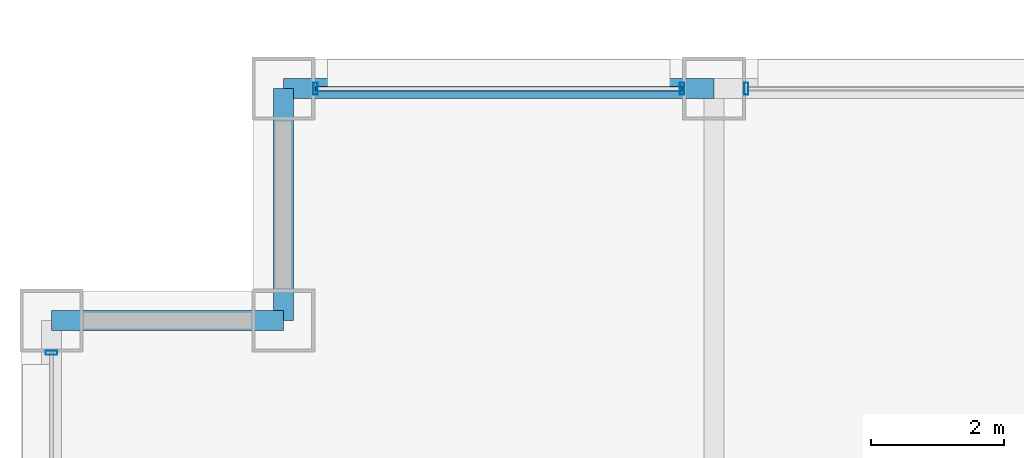
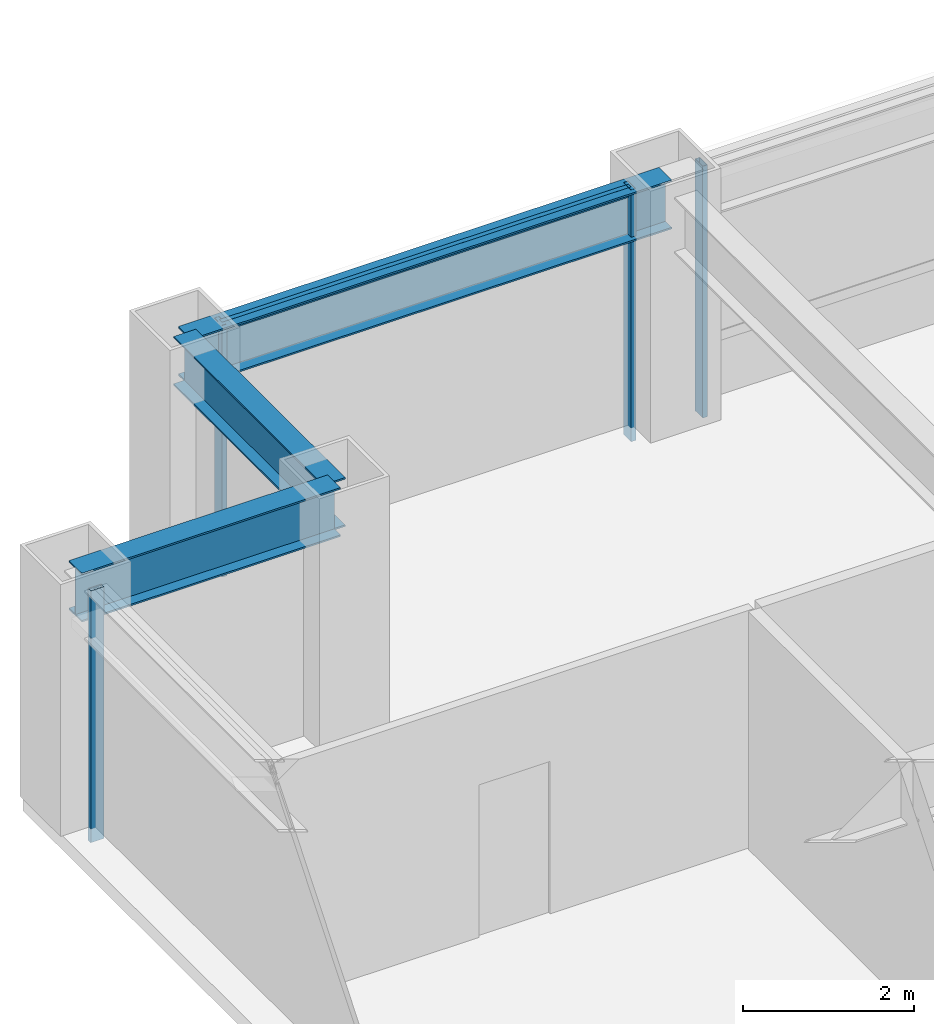
# One storey, part 17 of 31: 5 members, 3 beams, 3 elements without a shape of their own.
"""IFC4 building model written with IfcOpenShell, lengths in metres."""

import ifcopenshell
import ifcopenshell.guid

model = None  # the IFC model being written
_history = None  # IfcOwnerHistory: only IFC2X3 demands one
_inside = {}  # id of a spatial element -> (the spatial element, [elements in it])
_under = {}  # id of a project, library or spatial element -> (it, [spatial elements below it])
_declared = {}  # id of a project -> (the project, [libraries it declares])
_typed = {}  # id of a type object -> (the type object, [elements of that type])
_made_of = {}  # id of a material, layer set ... -> (it, [elements and type objects made of it])


def new_model(schema):
    """Start an empty IFC model of exactly this schema.

    Asked for "IFC4X3", IfcOpenShell would pick the latest addendum, in which some entities
    have other attributes; the version numbers below select the first issue.
    IFC2X3 requires an IfcOwnerHistory on every rooted entity: one is made here for all.
    """
    global model, _history
    if schema == "IFC4X3":
        model = ifcopenshell.file(schema_version=(4, 3, 0, 0))
    else:
        model = ifcopenshell.file(schema=schema)
    _inside.clear()
    _under.clear()
    _declared.clear()
    _typed.clear()
    _made_of.clear()
    _history = None
    if model.schema == "IFC2X3":
        org = make("IfcOrganization", Name="unknown")
        user = make(
            "IfcPersonAndOrganization",
            ThePerson=make("IfcPerson", FamilyName="unknown"),
            TheOrganization=org,
        )
        app = make(
            "IfcApplication",
            ApplicationDeveloper=org,
            Version="unknown",
            ApplicationFullName="unknown",
            ApplicationIdentifier="unknown",
        )
        _history = make(
            "IfcOwnerHistory",
            OwningUser=user,
            OwningApplication=app,
            ChangeAction="ADDED",
            CreationDate=0,
        )
    return model


def make(cls, **values):
    """One entity of the class cls with the attributes given. An attribute that is None is left unset."""
    return model.create_entity(
        cls, **{name: value for name, value in values.items() if value is not None}
    )


def rooted(cls, **values):
    """An entity with a GlobalId (a new one), such as an element, a storey or a relation."""
    return make(cls, GlobalId=ifcopenshell.guid.new(), OwnerHistory=_history, **values)


def si_unit(unit_type, name, prefix=None):
    """IfcSIUnit, for example si_unit("LENGTHUNIT", "METRE", prefix="MILLI")."""
    return make("IfcSIUnit", UnitType=unit_type, Prefix=prefix, Name=name)


def assignment(units):
    """IfcUnitAssignment: the units of a project."""
    return None if units is None else make("IfcUnitAssignment", Units=units)


def point(xyz):
    """IfcCartesianPoint."""
    return None if xyz is None else make("IfcCartesianPoint", Coordinates=xyz)


def direction(xyz):
    """IfcDirection."""
    return None if xyz is None else make("IfcDirection", DirectionRatios=xyz)


def frame(location, z_axis=None, x_axis=None):
    """IfcAxis2Placement3D, a coordinate frame: its origin and axes. An axis left out is left unset."""
    return make(
        "IfcAxis2Placement3D",
        Location=point(location),
        Axis=direction(z_axis),
        RefDirection=direction(x_axis),
    )


def frame_2d(location, x_axis=None):
    """IfcAxis2Placement2D, a coordinate frame in the plane: its origin and x axis."""
    return make(
        "IfcAxis2Placement2D", Location=point(location), RefDirection=direction(x_axis)
    )


def origin():
    """The frame at (0, 0, 0) with its axes left unset."""
    return frame((0.0, 0.0, 0.0))


def origin_2d():
    """The frame at (0, 0) in the plane with its x axis left unset."""
    return frame_2d((0.0, 0.0))


def place(relative_to, where):
    """IfcLocalPlacement: puts the frame where relative to a parent placement (None: the world)."""
    return make(
        "IfcLocalPlacement", PlacementRelTo=relative_to, RelativePlacement=where
    )


def context(
    kind, dimensions, precision=None, world=None, true_north=None, identifier=None
):
    """IfcGeometricRepresentationContext, for example the 3D "Model" context."""
    return make(
        "IfcGeometricRepresentationContext",
        ContextIdentifier=identifier,
        ContextType=kind,
        CoordinateSpaceDimension=dimensions,
        Precision=precision,
        WorldCoordinateSystem=world,
        TrueNorth=true_north,
    )


def subcontext(parent, identifier, kind, view, scale=None):
    """IfcGeometricRepresentationSubContext, for example "Body" below "Model"."""
    return make(
        "IfcGeometricRepresentationSubContext",
        ContextIdentifier=identifier,
        ContextType=kind,
        ParentContext=parent,
        TargetScale=scale,
        TargetView=view,
    )


def project(units=None, contexts=None):
    """IfcProject with its units and contexts."""
    return rooted(
        "IfcProject",
        Name="project",
        RepresentationContexts=contexts,
        UnitsInContext=assignment(units),
    )


def spatial(cls, under=None, at=None, **own):
    """A site, building, storey or space (cls), placed at a placement, below another one or the project."""
    s = rooted(cls, ObjectPlacement=at, **own)
    if under is not None:
        _under.setdefault(under.id(), (under, []))[1].append(s)
    return s


def profile(cls, at=None, kind="AREA", **sizes):
    """A parametric profile (cls). Its sizes go by their IFC names, for example OverallWidth=200.0."""
    return make(cls, ProfileType=kind, Position=at, **sizes)


def hollow_rectangle(**sizes):
    """IfcRectangleHollowProfileDef."""
    return profile("IfcRectangleHollowProfileDef", **sizes)


def i_section(**sizes):
    """IfcIShapeProfileDef."""
    return profile("IfcIShapeProfileDef", **sizes)


def extrude(swept, where, along, depth):
    """IfcExtrudedAreaSolid: the profile swept, set in the frame where, extruded along a direction by depth."""
    return make(
        "IfcExtrudedAreaSolid",
        SweptArea=swept,
        Position=where,
        ExtrudedDirection=direction(along),
        Depth=depth,
    )


def shape(context_of_items, identifier, shape_type, items):
    """IfcShapeRepresentation: the items that make up one representation, for example the "Body"."""
    return make(
        "IfcShapeRepresentation",
        ContextOfItems=context_of_items,
        RepresentationIdentifier=identifier,
        RepresentationType=shape_type,
        Items=items,
    )


def material(Name=None, Category=None):
    """IfcMaterial."""
    return make("IfcMaterial", Name=Name, Category=Category)


def layer(
    of_material, thickness, ventilated=None, Name=None, Category=None, Priority=None
):
    """IfcMaterialLayer: one layer of a wall or slab, of a material (None: an air gap)."""
    return make(
        "IfcMaterialLayer",
        Material=of_material,
        LayerThickness=thickness,
        IsVentilated=ventilated,
        Name=Name,
        Category=Category,
        Priority=Priority,
    )


def layer_set(layers, Name=None):
    """IfcMaterialLayerSet."""
    return make("IfcMaterialLayerSet", MaterialLayers=layers, LayerSetName=Name)


def material_profile(
    of_material, cross_section, Name=None, Category=None, Priority=None
):
    """IfcMaterialProfile: a cross section and its material."""
    return make(
        "IfcMaterialProfile",
        Name=Name,
        Material=of_material,
        Profile=cross_section,
        Priority=Priority,
        Category=Category,
    )


def profile_set(profiles, Name=None, composite=None):
    """IfcMaterialProfileSet."""
    return make(
        "IfcMaterialProfileSet",
        Name=Name,
        MaterialProfiles=profiles,
        CompositeProfile=composite,
    )


def made_of(thing, what):
    """Note that an element or type object is made of a material, layer set ...; save() writes the relation."""
    if what is not None:
        _made_of.setdefault(what.id(), (what, []))[1].append(thing)
    return thing


def type_object(cls, material=None, **own):
    """A type object (cls), such as IfcWallType, which elements share."""
    return made_of(rooted(cls, **own), material)


def element(
    cls,
    number,
    at=None,
    inside=None,
    cuts=None,
    type_object=None,
    material=None,
    context=None,
    identifier="Body",
    shape_type=None,
    held_by="IfcProductDefinitionShape",
    body=None,
    shapes=None,
    **own,
):
    """One element of the class cls, such as IfcWall. Its Tag is "e" and its number.

    at: its placement. inside: the storey or other place that contains it. cuts: it is an
    opening in that element (IfcRelVoidsElement). A single representation is given by context,
    identifier, shape_type and body (its items); several are given by shapes. held_by: the class
    of the entity that holds the representations. save() writes the other relations.
    """
    e = rooted(cls, Tag="e%d" % number, ObjectPlacement=at, **own)
    if body is not None:
        shapes = [shape(context, identifier, shape_type, body)]
    if shapes is not None:
        e.Representation = make(held_by, Representations=shapes)
    if inside is not None:
        _inside.setdefault(inside.id(), (inside, []))[1].append(e)
    if cuts is not None:
        rooted(
            "IfcRelVoidsElement", RelatingBuildingElement=cuts, RelatedOpeningElement=e
        )
    if type_object is not None:
        _typed.setdefault(type_object.id(), (type_object, []))[1].append(e)
    return made_of(e, material)


def aggregate(whole, parts):
    """IfcRelAggregates: a whole, such as a stair, and the parts it consists of."""
    return rooted("IfcRelAggregates", RelatingObject=whole, RelatedObjects=parts)


def save(model, path):
    """Write the relations noted so far, then the file.

    IfcRelAggregates (storeys below a building ...), IfcRelContainedInSpatialStructure (elements
    in a storey), IfcRelDefinesByType, IfcRelAssociatesMaterial and IfcRelDeclares: one each for
    every whole, place, type object, material and project.
    """
    for whole, parts in _under.values():
        aggregate(whole, parts)
    for where, things in _inside.values():
        rooted(
            "IfcRelContainedInSpatialStructure",
            RelatedElements=things,
            RelatingStructure=where,
        )
    for kind, things in _typed.values():
        rooted("IfcRelDefinesByType", RelatedObjects=things, RelatingType=kind)
    for what, things in _made_of.values():
        rooted("IfcRelAssociatesMaterial", RelatedObjects=things, RelatingMaterial=what)
    for by, libraries in _declared.values():
        rooted("IfcRelDeclares", RelatingContext=by, RelatedDefinitions=libraries)
    model.write(path)


model = new_model("IFC4")

# Units and contexts
model_context = context("Model", 3, precision=1e-05, world=origin(), true_north=direction((0.0, 1.0)))
body_context = subcontext(model_context, "Body", "Model", "MODEL_VIEW")
ifc_project = project(units=[si_unit("LENGTHUNIT", "METRE"), si_unit("AREAUNIT", "SQUARE_METRE"), si_unit("VOLUMEUNIT", "CUBIC_METRE"), si_unit("PLANEANGLEUNIT", "RADIAN"), si_unit("MASSUNIT", "GRAM", prefix="KILO")], contexts=[model_context])

# Site, building, storey
site_placement = place(None, origin())
site = spatial("IfcSite", under=ifc_project, at=site_placement, CompositionType="ELEMENT")
building_placement = place(site_placement, origin())
building = spatial("IfcBuilding", under=site, at=building_placement, Name="Brelmoor Portico Tower", CompositionType="ELEMENT")
storey_placement = place(building_placement, frame((0.0, 0.0, 38.39990234375)))
storey = spatial("IfcBuildingStorey", under=building, at=storey_placement, Name="L09", CompositionType="ELEMENT", Elevation=38.39990234375)

# Beams
ifc_material_1 = material(Name="Steel Q355B", Category="steel")
ifc_material_profile_1 = material_profile(ifc_material_1, i_section(OverallWidth=0.300048828125, OverallDepth=0.699951171875, WebThickness=0.012939453125, FlangeThickness=0.02392578125, at=origin_2d()), Name="HN 700x300x13x24")
ifc_profile_set_1 = profile_set([ifc_material_profile_1], Name="Steel Q355B")
beam_type = type_object("IfcBeamType", Name="BM-SP-700", PredefinedType="SPANDREL", material=ifc_profile_set_1)
beam_1_placement = place(storey_placement, frame((-24.550048828125, 18.050048828125, 3.050048828125), z_axis=(1.0, 0.0, 0.0), x_axis=(0.0, 1.0, 0.0)))
element("IfcBeam", 1, at=beam_1_placement, inside=storey, type_object=beam_type, Name="L09 Perimeter Spandrel Beam SP-08", PredefinedType="SPANDREL", context=body_context, shape_type="SweptSolid", body=[
    extrude(i_section(OverallWidth=0.300048828125, OverallDepth=0.699951171875, WebThickness=0.012939453125, FlangeThickness=0.02392578125, at=origin_2d()), origin(), (0.0, 0.0, 1.0), 3.5),
])
beam_2_placement = place(storey_placement, frame((-21.050048828125, 21.550048828125, 3.050048828125), z_axis=(1.0, 0.0, 0.0), x_axis=(0.0, 1.0, 0.0)))
element("IfcBeam", 2, at=beam_2_placement, inside=storey, type_object=beam_type, Name="L09 Perimeter Spandrel Beam SP-10", PredefinedType="SPANDREL", context=body_context, shape_type="SweptSolid", body=[
    extrude(i_section(OverallWidth=0.300048828125, OverallDepth=0.699951171875, WebThickness=0.012939453125, FlangeThickness=0.02392578125, at=origin_2d()), origin(), (0.0, 0.0, 1.0), 6.5),
])
beam_3_placement = place(storey_placement, frame((-21.050048828125, 18.050048828125, 3.050048828125), z_axis=(0.0, 1.0, 0.0), x_axis=(-1.0, 0.0, 0.0)))
element("IfcBeam", 3, at=beam_3_placement, inside=storey, type_object=beam_type, Name="L09 Perimeter Spandrel Beam SP-19", PredefinedType="SPANDREL", context=body_context, shape_type="SweptSolid", body=[
    extrude(i_section(OverallWidth=0.300048828125, OverallDepth=0.699951171875, WebThickness=0.012939453125, FlangeThickness=0.02392578125, at=origin_2d()), origin(), (0.0, 0.0, 1.0), 3.5),
])

# Curtain wall, members
ifc_material_2 = material(Name="Anodised Aluminium Alloy 6063-T6", Category="aluminium")
ifc_layer_1 = layer(ifc_material_2, 0.179931640625)
ifc_layer_set_1 = layer_set([ifc_layer_1], Name="Anodised Aluminium Alloy 6063-T6")
curtain_wall_type_1 = type_object("IfcCurtainWallType", Name="CW-TOWER-Z1-XB", PredefinedType="NOTDEFINED", material=ifc_layer_set_1)
curtain_wall_1_placement = place(storey_placement, origin())
curtain_wall_1 = element("IfcCurtainWall", 4, at=curtain_wall_1_placement, inside=storey, type_object=curtain_wall_type_1, Name="L09 Curtain Wall CW-L09-2L-1", PredefinedType="NOTDEFINED")
ifc_material_profile_2 = material_profile(ifc_material_2, hollow_rectangle(XDim=0.06494140625, YDim=0.179931640625, WallThickness=0.00390625, at=origin_2d()), Name="ALU MULLION 65x180")
ifc_profile_set_2 = profile_set([ifc_material_profile_2], Name="Anodised Aluminium Alloy 6063-T6")
member_type_1 = type_object("IfcMemberType", Name="MB-CW-MULL-180", PredefinedType="MULLION", material=ifc_profile_set_2)
member_1_placement = place(storey_placement, frame((-20.56494140625, 21.550048828125, -0.199951171875), z_axis=(0.0, 0.0, 1.0), x_axis=(1.0, 0.0, 0.0)))
member_1 = element("IfcMember", 5, at=member_1_placement, type_object=member_type_1, Name="CW-L09-2L-1 Mullion 00", PredefinedType="MULLION", context=body_context, shape_type="SweptSolid", body=[
    extrude(hollow_rectangle(XDim=0.06494140625, YDim=0.179931640625, WallThickness=0.00390625, at=origin_2d()), origin(), (0.0, 0.0, 1.0), 3.60009765625),
])
member_2_placement = place(storey_placement, frame((-15.034912109375, 21.550048828125, -0.199951171875), z_axis=(0.0, 0.0, 1.0), x_axis=(1.0, 0.0, 0.0)))
member_2 = element("IfcMember", 6, at=member_2_placement, type_object=member_type_1, Name="CW-L09-2L-1 Mullion 01", PredefinedType="MULLION", context=body_context, shape_type="SweptSolid", body=[
    extrude(hollow_rectangle(XDim=0.06494140625, YDim=0.179931640625, WallThickness=0.00390625, at=origin_2d()), origin(), (0.0, 0.0, 1.0), 3.60009765625),
])

# Curtain wall, member
ifc_layer_2 = layer(ifc_material_2, 0.179931640625)
ifc_layer_set_2 = layer_set([ifc_layer_2], Name="Anodised Aluminium Alloy 6063-T6")
curtain_wall_type_2 = type_object("IfcCurtainWallType", Name="CW-TOWER-Z1", PredefinedType="NOTDEFINED", material=ifc_layer_set_2)
curtain_wall_2_placement = place(storey_placement, origin())
curtain_wall_2 = element("IfcCurtainWall", 7, at=curtain_wall_2_placement, inside=storey, type_object=curtain_wall_type_2, Name="L09 Curtain Wall CW-L09-2L-2", PredefinedType="NOTDEFINED")
member_3_placement = place(storey_placement, frame((-14.06494140625, 21.550048828125, -0.199951171875), z_axis=(0.0, 0.0, 1.0), x_axis=(1.0, 0.0, 0.0)))
member_3 = element("IfcMember", 8, at=member_3_placement, type_object=member_type_1, Name="CW-L09-2L-2 Mullion 00", PredefinedType="MULLION", context=body_context, shape_type="SweptSolid", body=[
    extrude(hollow_rectangle(XDim=0.06494140625, YDim=0.179931640625, WallThickness=0.00390625, at=origin_2d()), origin(), (0.0, 0.0, 1.0), 3.60009765625),
])
aggregate(curtain_wall_2, [member_3])

curtain_wall_3_placement = place(storey_placement, origin())
curtain_wall_3 = element("IfcCurtainWall", 9, at=curtain_wall_3_placement, inside=storey, type_object=curtain_wall_type_1, Name="L09 Curtain Wall CW-L09-03-3", PredefinedType="NOTDEFINED")
member_4_placement = place(storey_placement, frame((-24.550048828125, 17.56494140625, -0.199951171875), z_axis=(0.0, 0.0, 1.0), x_axis=(0.0, 1.0, 0.0)))
member_4 = element("IfcMember", 10, at=member_4_placement, type_object=member_type_1, Name="CW-L09-03-3 Mullion 01", PredefinedType="MULLION", context=body_context, shape_type="SweptSolid", body=[
    extrude(hollow_rectangle(XDim=0.06494140625, YDim=0.179931640625, WallThickness=0.00390625, at=origin_2d()), origin(), (0.0, 0.0, 1.0), 3.60009765625),
])
aggregate(curtain_wall_3, [member_4])

# Member
ifc_material_profile_3 = material_profile(ifc_material_2, hollow_rectangle(XDim=0.06494140625, YDim=0.139892578125, WallThickness=0.00390625, at=origin_2d()), Name="ALU TRANSOM 65x140")
ifc_profile_set_3 = profile_set([ifc_material_profile_3], Name="Anodised Aluminium Alloy 6063-T6")
member_type_2 = type_object("IfcMemberType", Name="MB-CW-TRAN-140", PredefinedType="USERDEFINED", material=ifc_profile_set_3)
member_5_placement = place(storey_placement, frame((-20.56494140625, 21.550048828125, 3.330078125), z_axis=(1.0, 0.0, 0.0), x_axis=(0.0, 1.0, 0.0)))
member_5 = element("IfcMember", 11, at=member_5_placement, type_object=member_type_2, Name="CW-L09-2L-1 Transom 1-00", ObjectType="TRANSOM", PredefinedType="USERDEFINED", context=body_context, shape_type="SweptSolid", body=[
    extrude(hollow_rectangle(XDim=0.06494140625, YDim=0.139892578125, WallThickness=0.00390625, at=origin_2d()), origin(), (0.0, 0.0, 1.0), 5.530029296875),
])

aggregate(curtain_wall_1, [member_1, member_2, member_5])

save(model, "model.ifc")
